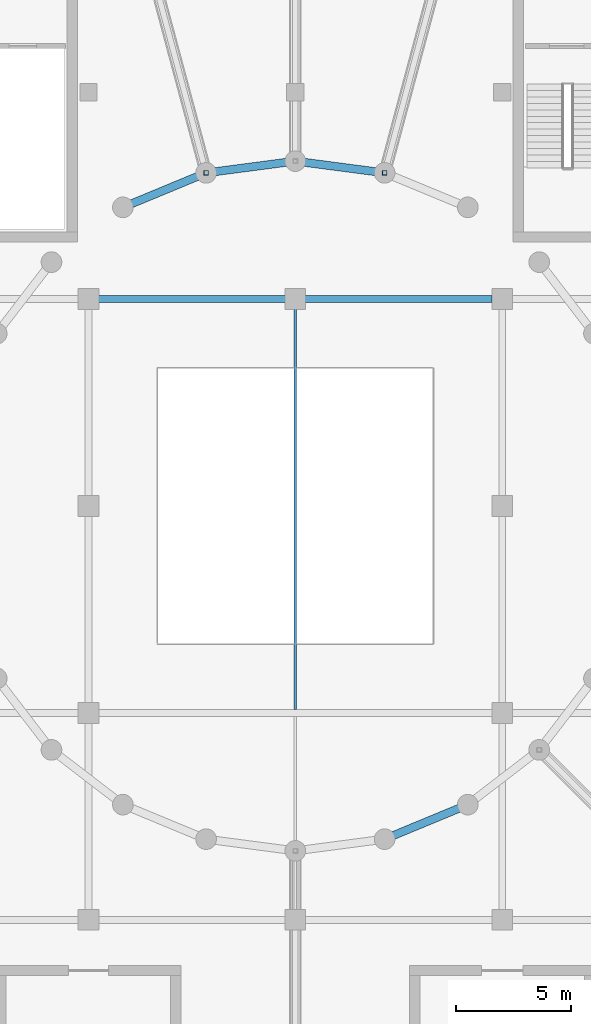
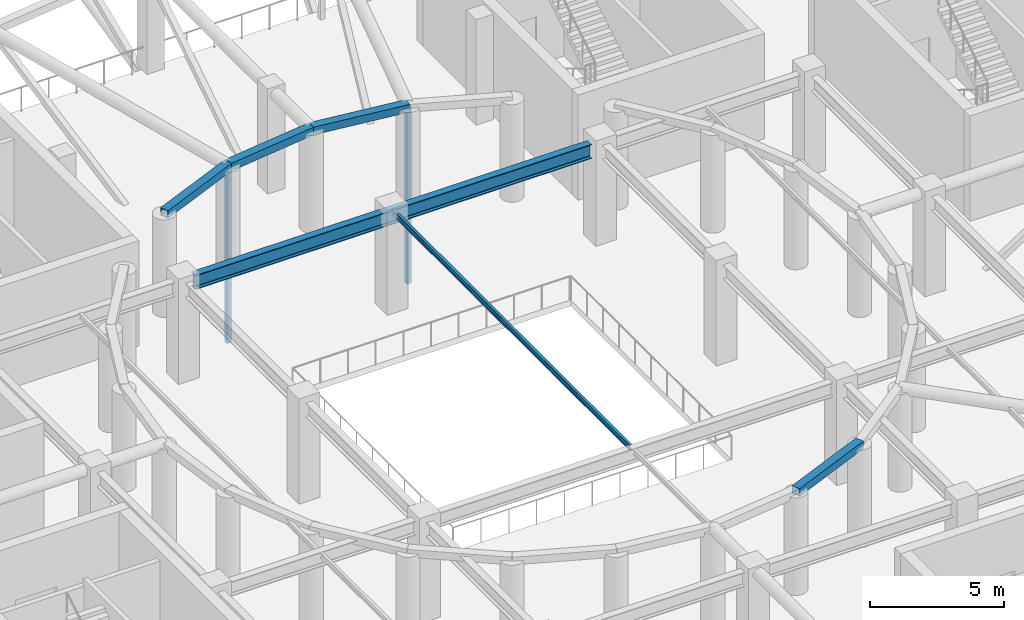
# One storey, part 67 of 167: 6 members, 2 beams.
"""IFC4 building model written with IfcOpenShell, lengths in metres."""

import ifcopenshell
import ifcopenshell.guid

model = None  # the IFC model being written
_history = None  # IfcOwnerHistory: only IFC2X3 demands one
_inside = {}  # id of a spatial element -> (the spatial element, [elements in it])
_under = {}  # id of a project, library or spatial element -> (it, [spatial elements below it])
_declared = {}  # id of a project -> (the project, [libraries it declares])
_typed = {}  # id of a type object -> (the type object, [elements of that type])
_made_of = {}  # id of a material, layer set ... -> (it, [elements and type objects made of it])


def new_model(schema):
    """Start an empty IFC model of exactly this schema.

    Asked for "IFC4X3", IfcOpenShell would pick the latest addendum, in which some entities
    have other attributes; the version numbers below select the first issue.
    IFC2X3 requires an IfcOwnerHistory on every rooted entity: one is made here for all.
    """
    global model, _history
    if schema == "IFC4X3":
        model = ifcopenshell.file(schema_version=(4, 3, 0, 0))
    else:
        model = ifcopenshell.file(schema=schema)
    _inside.clear()
    _under.clear()
    _declared.clear()
    _typed.clear()
    _made_of.clear()
    _history = None
    if model.schema == "IFC2X3":
        org = make("IfcOrganization", Name="unknown")
        user = make(
            "IfcPersonAndOrganization",
            ThePerson=make("IfcPerson", FamilyName="unknown"),
            TheOrganization=org,
        )
        app = make(
            "IfcApplication",
            ApplicationDeveloper=org,
            Version="unknown",
            ApplicationFullName="unknown",
            ApplicationIdentifier="unknown",
        )
        _history = make(
            "IfcOwnerHistory",
            OwningUser=user,
            OwningApplication=app,
            ChangeAction="ADDED",
            CreationDate=0,
        )
    return model


def make(cls, **values):
    """One entity of the class cls with the attributes given. An attribute that is None is left unset."""
    return model.create_entity(
        cls, **{name: value for name, value in values.items() if value is not None}
    )


def rooted(cls, **values):
    """An entity with a GlobalId (a new one), such as an element, a storey or a relation."""
    return make(cls, GlobalId=ifcopenshell.guid.new(), OwnerHistory=_history, **values)


def si_unit(unit_type, name, prefix=None):
    """IfcSIUnit, for example si_unit("LENGTHUNIT", "METRE", prefix="MILLI")."""
    return make("IfcSIUnit", UnitType=unit_type, Prefix=prefix, Name=name)


def assignment(units):
    """IfcUnitAssignment: the units of a project."""
    return None if units is None else make("IfcUnitAssignment", Units=units)


def point(xyz):
    """IfcCartesianPoint."""
    return None if xyz is None else make("IfcCartesianPoint", Coordinates=xyz)


def direction(xyz):
    """IfcDirection."""
    return None if xyz is None else make("IfcDirection", DirectionRatios=xyz)


def frame(location, z_axis=None, x_axis=None):
    """IfcAxis2Placement3D, a coordinate frame: its origin and axes. An axis left out is left unset."""
    return make(
        "IfcAxis2Placement3D",
        Location=point(location),
        Axis=direction(z_axis),
        RefDirection=direction(x_axis),
    )


def frame_2d(location, x_axis=None):
    """IfcAxis2Placement2D, a coordinate frame in the plane: its origin and x axis."""
    return make(
        "IfcAxis2Placement2D", Location=point(location), RefDirection=direction(x_axis)
    )


def origin():
    """The frame at (0, 0, 0) with its axes left unset."""
    return frame((0.0, 0.0, 0.0))


def origin_2d():
    """The frame at (0, 0) in the plane with its x axis left unset."""
    return frame_2d((0.0, 0.0))


def place(relative_to, where):
    """IfcLocalPlacement: puts the frame where relative to a parent placement (None: the world)."""
    return make(
        "IfcLocalPlacement", PlacementRelTo=relative_to, RelativePlacement=where
    )


def context(
    kind, dimensions, precision=None, world=None, true_north=None, identifier=None
):
    """IfcGeometricRepresentationContext, for example the 3D "Model" context."""
    return make(
        "IfcGeometricRepresentationContext",
        ContextIdentifier=identifier,
        ContextType=kind,
        CoordinateSpaceDimension=dimensions,
        Precision=precision,
        WorldCoordinateSystem=world,
        TrueNorth=true_north,
    )


def subcontext(parent, identifier, kind, view, scale=None):
    """IfcGeometricRepresentationSubContext, for example "Body" below "Model"."""
    return make(
        "IfcGeometricRepresentationSubContext",
        ContextIdentifier=identifier,
        ContextType=kind,
        ParentContext=parent,
        TargetScale=scale,
        TargetView=view,
    )


def project(units=None, contexts=None):
    """IfcProject with its units and contexts."""
    return rooted(
        "IfcProject",
        Name="project",
        RepresentationContexts=contexts,
        UnitsInContext=assignment(units),
    )


def spatial(cls, under=None, at=None, **own):
    """A site, building, storey or space (cls), placed at a placement, below another one or the project."""
    s = rooted(cls, ObjectPlacement=at, **own)
    if under is not None:
        _under.setdefault(under.id(), (under, []))[1].append(s)
    return s


def profile(cls, at=None, kind="AREA", **sizes):
    """A parametric profile (cls). Its sizes go by their IFC names, for example OverallWidth=200.0."""
    return make(cls, ProfileType=kind, Position=at, **sizes)


def hollow_rectangle(**sizes):
    """IfcRectangleHollowProfileDef."""
    return profile("IfcRectangleHollowProfileDef", **sizes)


def i_section(**sizes):
    """IfcIShapeProfileDef."""
    return profile("IfcIShapeProfileDef", **sizes)


def extrude(swept, where, along, depth):
    """IfcExtrudedAreaSolid: the profile swept, set in the frame where, extruded along a direction by depth."""
    return make(
        "IfcExtrudedAreaSolid",
        SweptArea=swept,
        Position=where,
        ExtrudedDirection=direction(along),
        Depth=depth,
    )


def shape(context_of_items, identifier, shape_type, items):
    """IfcShapeRepresentation: the items that make up one representation, for example the "Body"."""
    return make(
        "IfcShapeRepresentation",
        ContextOfItems=context_of_items,
        RepresentationIdentifier=identifier,
        RepresentationType=shape_type,
        Items=items,
    )


def material(Name=None, Category=None):
    """IfcMaterial."""
    return make("IfcMaterial", Name=Name, Category=Category)


def material_profile(
    of_material, cross_section, Name=None, Category=None, Priority=None
):
    """IfcMaterialProfile: a cross section and its material."""
    return make(
        "IfcMaterialProfile",
        Name=Name,
        Material=of_material,
        Profile=cross_section,
        Priority=Priority,
        Category=Category,
    )


def profile_set(profiles, Name=None, composite=None):
    """IfcMaterialProfileSet."""
    return make(
        "IfcMaterialProfileSet",
        Name=Name,
        MaterialProfiles=profiles,
        CompositeProfile=composite,
    )


def made_of(thing, what):
    """Note that an element or type object is made of a material, layer set ...; save() writes the relation."""
    if what is not None:
        _made_of.setdefault(what.id(), (what, []))[1].append(thing)
    return thing


def type_object(cls, material=None, **own):
    """A type object (cls), such as IfcWallType, which elements share."""
    return made_of(rooted(cls, **own), material)


def element(
    cls,
    number,
    at=None,
    inside=None,
    cuts=None,
    type_object=None,
    material=None,
    context=None,
    identifier="Body",
    shape_type=None,
    held_by="IfcProductDefinitionShape",
    body=None,
    shapes=None,
    **own,
):
    """One element of the class cls, such as IfcWall. Its Tag is "e" and its number.

    at: its placement. inside: the storey or other place that contains it. cuts: it is an
    opening in that element (IfcRelVoidsElement). A single representation is given by context,
    identifier, shape_type and body (its items); several are given by shapes. held_by: the class
    of the entity that holds the representations. save() writes the other relations.
    """
    e = rooted(cls, Tag="e%d" % number, ObjectPlacement=at, **own)
    if body is not None:
        shapes = [shape(context, identifier, shape_type, body)]
    if shapes is not None:
        e.Representation = make(held_by, Representations=shapes)
    if inside is not None:
        _inside.setdefault(inside.id(), (inside, []))[1].append(e)
    if cuts is not None:
        rooted(
            "IfcRelVoidsElement", RelatingBuildingElement=cuts, RelatedOpeningElement=e
        )
    if type_object is not None:
        _typed.setdefault(type_object.id(), (type_object, []))[1].append(e)
    return made_of(e, material)


def aggregate(whole, parts):
    """IfcRelAggregates: a whole, such as a stair, and the parts it consists of."""
    return rooted("IfcRelAggregates", RelatingObject=whole, RelatedObjects=parts)


def save(model, path):
    """Write the relations noted so far, then the file.

    IfcRelAggregates (storeys below a building ...), IfcRelContainedInSpatialStructure (elements
    in a storey), IfcRelDefinesByType, IfcRelAssociatesMaterial and IfcRelDeclares: one each for
    every whole, place, type object, material and project.
    """
    for whole, parts in _under.values():
        aggregate(whole, parts)
    for where, things in _inside.values():
        rooted(
            "IfcRelContainedInSpatialStructure",
            RelatedElements=things,
            RelatingStructure=where,
        )
    for kind, things in _typed.values():
        rooted("IfcRelDefinesByType", RelatedObjects=things, RelatingType=kind)
    for what, things in _made_of.values():
        rooted("IfcRelAssociatesMaterial", RelatedObjects=things, RelatingMaterial=what)
    for by, libraries in _declared.values():
        rooted("IfcRelDeclares", RelatingContext=by, RelatedDefinitions=libraries)
    model.write(path)


model = new_model("IFC4")

# Units and contexts
model_context = context("Model", 3, precision=1e-05, world=origin(), true_north=direction((0.0, 1.0)))
body_context = subcontext(model_context, "Body", "Model", "MODEL_VIEW")
ifc_project = project(units=[si_unit("LENGTHUNIT", "METRE"), si_unit("AREAUNIT", "SQUARE_METRE"), si_unit("VOLUMEUNIT", "CUBIC_METRE"), si_unit("PLANEANGLEUNIT", "RADIAN"), si_unit("MASSUNIT", "GRAM", prefix="KILO")], contexts=[model_context])

# Site, building, storey
site_placement = place(None, origin())
site = spatial("IfcSite", under=ifc_project, at=site_placement, CompositionType="ELEMENT")
building_placement = place(site_placement, origin())
building = spatial("IfcBuilding", under=site, at=building_placement, Name="Dornveld Trade and Exhibition Forum", CompositionType="ELEMENT")
storey_placement = place(building_placement, frame((0.0, 0.0, 16.800048828125)))
storey = spatial("IfcBuildingStorey", under=building, at=storey_placement, Name="L03", CompositionType="ELEMENT", Elevation=16.800048828125)

# Beams
ifc_material_1 = material(Name="Steel S355J2", Category="steel")
ifc_material_profile_1 = material_profile(ifc_material_1, i_section(OverallWidth=0.300048828125, OverallDepth=0.64990234375, WebThickness=0.01611328125, FlangeThickness=0.031005859375, FilletRadius=0.027099609375, at=origin_2d()), Name="HEB 650")
ifc_profile_set_1 = profile_set([ifc_material_profile_1], Name="Steel S355J2")
beam_type_1 = type_object("IfcBeamType", Name="BM-GIR-HEB650", PredefinedType="USERDEFINED", material=ifc_profile_set_1)
beam_1_placement = place(storey_placement, frame((108.446044921875, 90.0, 4.15283203125), z_axis=(1.0, 0.0, 0.0), x_axis=(0.0, 1.0, 0.0)))
element("IfcBeam", 1, at=beam_1_placement, inside=storey, type_object=beam_type_1, Name="L03 X-girder 1658", ObjectType="GIRDER", PredefinedType="USERDEFINED", context=body_context, shape_type="SweptSolid", body=[
    extrude(i_section(OverallWidth=0.300048828125, OverallDepth=0.64990234375, WebThickness=0.01611328125, FlangeThickness=0.031005859375, FilletRadius=0.027099609375, at=origin_2d()), origin(), (0.0, 0.0, 1.0), 17.10791015625),
])
ifc_material_2 = material(Name="Steel S355J2", Category="steel")
ifc_material_profile_2 = material_profile(ifc_material_2, i_section(OverallWidth=0.1201171875, OverallDepth=0.239990234375, WebThickness=0.006103515625, FlangeThickness=0.009765625, FilletRadius=0.014892578125, at=origin_2d()), Name="IPE 240")
ifc_profile_set_2 = profile_set([ifc_material_profile_2], Name="Steel S355J2")
beam_type_2 = type_object("IfcBeamType", Name="BM-JOIST-240", PredefinedType="JOIST", material=ifc_profile_set_2)
beam_2_placement = place(storey_placement, frame((117.0, 72.14697265625, 4.389892578125), z_axis=(0.0, 1.0, 0.0), x_axis=(-1.0, 0.0, 0.0)))
element("IfcBeam", 2, at=beam_2_placement, inside=storey, type_object=beam_type_2, Name="L03 secondary joist 1671", PredefinedType="JOIST", context=body_context, shape_type="SweptSolid", body=[
    extrude(i_section(OverallWidth=0.1201171875, OverallDepth=0.239990234375, WebThickness=0.006103515625, FlangeThickness=0.009765625, FilletRadius=0.014892578125, at=origin_2d()), origin(), (0.0, 0.0, 1.0), 17.7060546875),
])

# Members
ifc_material_3 = material(Name="Steel S355J2", Category="steel")
ifc_material_profile_3 = material_profile(ifc_material_3, hollow_rectangle(XDim=0.35009765625, YDim=0.35009765625, WallThickness=0.01611328125, at=origin_2d()), Name="SHS 350x350x16")
ifc_profile_set_3 = profile_set([ifc_material_profile_3], Name="Steel S355J2")
member_type_1 = type_object("IfcMemberType", Name="MEM-DISC-RING", PredefinedType="CHORD", material=ifc_profile_set_3)
for number, where, z_axis, x_axis, name in (
    (3, (120.88232421875, 95.489013671875, 4.449951171875), (-0.991449201734, 0.130493219672, 0.0), (-0.130493219672, -0.991449201734, 0.0), "Roof disc ring 1 chord 6"),
    (4, (117.0, 96.0, 4.449951171875), (-0.991449201734, -0.130493219672, 0.0), (0.130493219672, -0.991449201734, 0.0), "Roof disc ring 1 chord 7"),
    (5, (113.11767578125, 95.489013671875, 4.449951171875), (-0.923875488976, -0.382693194178, 0.0), (0.382693194178, -0.923875488976, 0.0), "Roof disc ring 1 chord 8"),
    (6, (120.88232421875, 66.510986328125, 4.449951171875), (0.923875488976, 0.382693194178, 0.0), (-0.382693194178, 0.923875488976, 0.0), "Roof disc ring 1 chord 20"),
):
    element("IfcMember", number, at=place(storey_placement, frame(where, z_axis=z_axis, x_axis=x_axis)), inside=storey, type_object=member_type_1, Name=name, PredefinedType="CHORD", context=body_context, shape_type="SweptSolid", body=[
        extrude(hollow_rectangle(XDim=0.35009765625, YDim=0.35009765625, WallThickness=0.01611328125, at=origin_2d()), origin(), (0.0, 0.0, 1.0), 3.915771484375),
    ])
ifc_material_4 = material(Name="Steel S355J2", Category="steel")
ifc_material_profile_4 = material_profile(ifc_material_4, hollow_rectangle(XDim=0.199951171875, YDim=0.199951171875, WallThickness=0.010009765625, at=origin_2d()), Name="SHS 200x200x10")
ifc_profile_set_4 = profile_set([ifc_material_profile_4], Name="Steel S355J2")
member_type_2 = type_object("IfcMemberType", Name="MEM-DISC-STR", PredefinedType="STRUT", material=ifc_profile_set_4)
for number, where, z_axis, x_axis, name in (
    (7, (120.88232421875, 95.489013671875, -3.60009765625), (0.0, 0.0, 1.0), (1.0, 0.0, 0.0), "Roof disc radial R06 strut 1"),
    (8, (113.11767578125, 95.489013671875, -3.60009765625), (0.0, 0.0, 1.0), (1.0, 0.0, 0.0), "Roof disc radial R08 strut 1"),
):
    element("IfcMember", number, at=place(storey_placement, frame(where, z_axis=z_axis, x_axis=x_axis)), inside=storey, type_object=member_type_2, Name=name, PredefinedType="STRUT", context=body_context, shape_type="SweptSolid", body=[
        extrude(hollow_rectangle(XDim=0.199951171875, YDim=0.199951171875, WallThickness=0.010009765625, at=origin_2d()), origin(), (0.0, 0.0, 1.0), 8.050048828125),
    ])

save(model, "model.ifc")
